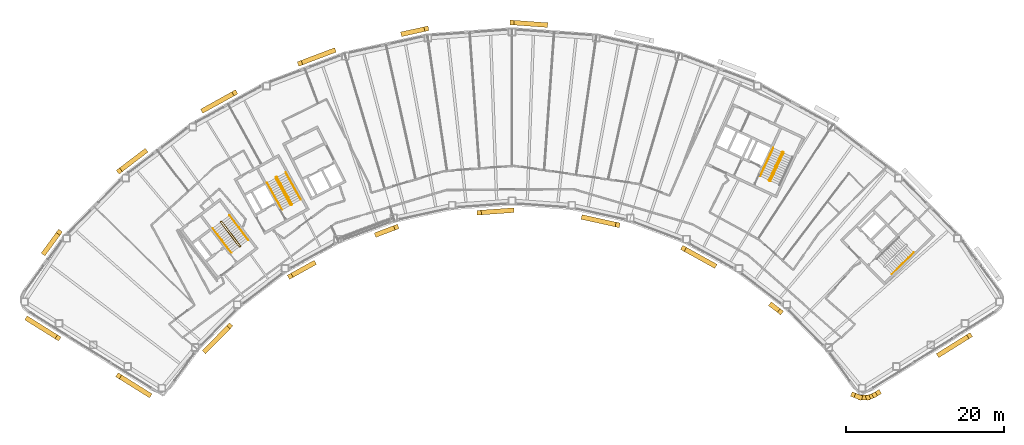
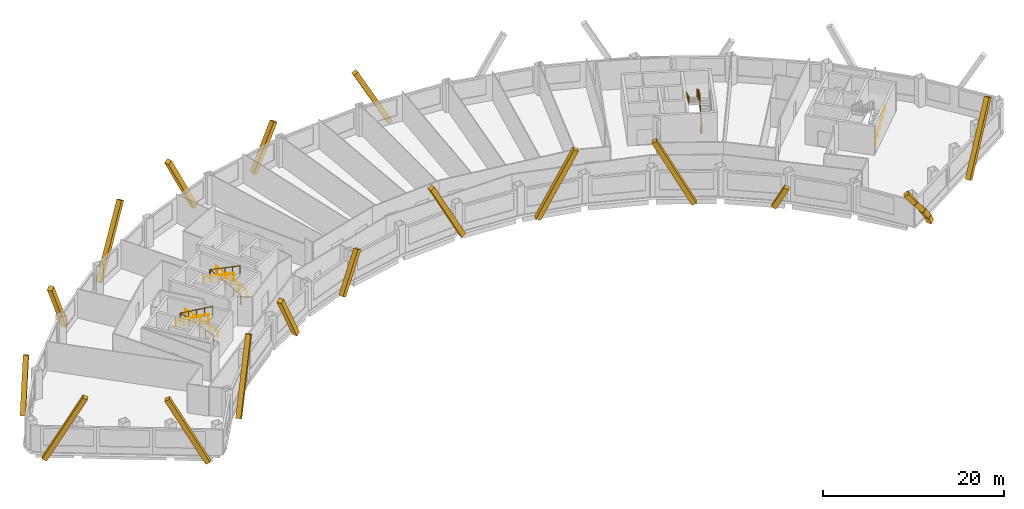
# One storey, part 12 of 13: 20 coverings, 9 railings.
"""IFC4 building model written with IfcOpenShell, lengths in metres."""

from ifc_helpers import new_model, si_unit, direction, frame, origin, origin_2d, place, context, subcontext, project, spatial, rectangle, circle, extrude, material, material_profile, profile_set, type_object, element, save


model = new_model("IFC4")

# Units and contexts
model_context = context("Model", 3, precision=1e-05, world=origin(), true_north=direction((0.0, 1.0)))
body_context = subcontext(model_context, "Body", "Model", "MODEL_VIEW")
ifc_project = project(units=[si_unit("LENGTHUNIT", "METRE"), si_unit("AREAUNIT", "SQUARE_METRE"), si_unit("VOLUMEUNIT", "CUBIC_METRE"), si_unit("PLANEANGLEUNIT", "RADIAN"), si_unit("MASSUNIT", "GRAM", prefix="KILO")], contexts=[model_context])

# Site, building, storey
site_placement = place(None, origin())
site = spatial("IfcSite", under=ifc_project, at=site_placement, CompositionType="ELEMENT")
building_placement = place(site_placement, origin())
building = spatial("IfcBuilding", under=site, at=building_placement, Name="Tuul Gate Civic Tower", CompositionType="ELEMENT")
storey_placement = place(building_placement, frame((0.0, 0.0, 188.89990234375)))
storey = spatial("IfcBuildingStorey", under=building, at=storey_placement, Name="Level 43", CompositionType="ELEMENT", Elevation=188.89990234375)

# Railings
ifc_material_1 = material(Name="Painted steel", Category="steel")
railing_type_1 = type_object("IfcRailingType", Name="Stair guard", PredefinedType="GUARDRAIL", material=ifc_material_1)
railing_1_placement = place(storey_placement, frame((-33.382080078125, -13.515380859375, 0.0)))
element("IfcRailing", 1, at=railing_1_placement, inside=storey, type_object=railing_type_1, Name="Level 43 ST-1 stair guard 1", PredefinedType="GUARDRAIL", context=body_context, shape_type="SweptSolid", body=[
    extrude(circle(Radius=0.02392578125, at=origin_2d()), frame((0.0, 0.0, 1.076171875), z_axis=(-0.795879841968, -0.605454603706, 0.0), x_axis=(0.605454603706, -0.795879841968, 0.0)), (0.0, 0.0, 1.0), 0.10009765625),
    extrude(circle(Radius=0.02392578125, at=origin_2d()), frame((-0.07958984375, -0.060546875, 1.076171875), z_axis=(0.408676696321, 0.599019267211, 0.688592241747), x_axis=(-0.826063974707, 0.563576356576, 0.0)), (0.0, 0.0, 1.0), 0.218017578125),
    extrude(circle(Radius=0.02392578125, at=origin_2d()), frame((0.009521484375, 0.070068359375, 1.22607421875), z_axis=(-0.541824460341, 0.711645023348, 0.447199748346), x_axis=(-0.795637165283, -0.60577347352, 0.0)), (0.0, 0.0, 1.0), 4.3603515625),
    extrude(circle(Radius=0.02392578125, at=origin_2d()), frame((-2.35302734375, 3.173095703125, 3.17626953125), z_axis=(-0.990893089246, 0.134650977284, 0.0), x_axis=(-0.134650977284, -0.990893089246, 0.0)), (0.0, 0.0, 1.0), 0.07080078125),
    extrude(circle(Radius=0.02392578125, at=origin_2d()), frame((-2.423095703125, 3.1826171875, 3.17626953125), z_axis=(-0.793802879778, -0.60817512943, 0.0), x_axis=(0.60817512943, -0.793802879778, 0.0)), (0.0, 0.0, 1.0), 0.099853515625),
    extrude(circle(Radius=0.02392578125, at=origin_2d()), frame((-2.50244140625, 3.121826171875, 3.17626953125), z_axis=(-0.057447065493, -0.422751481959, 0.904423031091), x_axis=(0.990893089246, -0.134650977284, 0.0)), (0.0, 0.0, 1.0), 0.165771484375),
    extrude(circle(Radius=0.02392578125, at=origin_2d()), frame((-2.511962890625, 3.0517578125, 3.326171875), z_axis=(0.541792925989, -0.711621155064, 0.447275929392), x_axis=(0.795644365679, 0.605764016233, 0.0)), (0.0, 0.0, 1.0), 4.360107421875),
    extrude(circle(Radius=0.02099609375, at=origin_2d()), origin(), (0.0, 0.0, 1.0), 1.052001953125),
    extrude(circle(Radius=0.02099609375, at=origin_2d()), frame((-0.07958984375, -0.060546875, 0.0)), (0.0, 0.0, 1.0), 1.052001953125),
    extrude(circle(Radius=0.02099609375, at=origin_2d()), frame((0.009521484375, 0.070068359375, 0.150146484375)), (0.0, 0.0, 1.0), 1.052001953125),
    extrude(circle(Radius=0.02099609375, at=origin_2d()), frame((-0.5810546875, 0.845703125, 0.6376953125)), (0.0, 0.0, 1.0), 1.052001953125),
    extrude(circle(Radius=0.02099609375, at=origin_2d()), frame((-1.171875, 1.62158203125, 1.125)), (0.0, 0.0, 1.0), 1.052001953125),
    extrude(circle(Radius=0.02099609375, at=origin_2d()), frame((-1.762451171875, 2.3974609375, 1.612548828125)), (0.0, 0.0, 1.0), 1.052001953125),
    extrude(circle(Radius=0.02099609375, at=origin_2d()), frame((-2.35302734375, 3.173095703125, 2.10009765625)), (0.0, 0.0, 1.0), 1.052001953125),
    extrude(circle(Radius=0.02099609375, at=origin_2d()), frame((-2.423095703125, 3.1826171875, 2.10009765625)), (0.0, 0.0, 1.0), 1.052001953125),
    extrude(circle(Radius=0.02099609375, at=origin_2d()), frame((-2.50244140625, 3.121826171875, 2.10009765625)), (0.0, 0.0, 1.0), 1.052001953125),
    extrude(circle(Radius=0.02099609375, at=origin_2d()), frame((-2.511962890625, 3.0517578125, 2.25)), (0.0, 0.0, 1.0), 1.052001953125),
    extrude(circle(Radius=0.02099609375, at=origin_2d()), frame((-1.92138671875, 2.276123046875, 2.737548828125)), (0.0, 0.0, 1.0), 1.052001953125),
    extrude(circle(Radius=0.02099609375, at=origin_2d()), frame((-1.330810546875, 1.50048828125, 3.22509765625)), (0.0, 0.0, 1.0), 1.052001953125),
    extrude(circle(Radius=0.02099609375, at=origin_2d()), frame((-0.740234375, 0.724609375, 3.712646484375)), (0.0, 0.0, 1.0), 1.052001953125),
    extrude(circle(Radius=0.02099609375, at=origin_2d()), frame((-0.149658203125, -0.051025390625, 4.2001953125)), (0.0, 0.0, 1.0), 1.052001953125),
])
railing_2_placement = place(storey_placement, frame((-26.857666015625, -8.247314453125, 0.0)))
element("IfcRailing", 2, at=railing_2_placement, inside=storey, type_object=railing_type_1, Name="Level 43 ST-2 stair guard 1", PredefinedType="GUARDRAIL", context=body_context, shape_type="SweptSolid", body=[
    extrude(circle(Radius=0.02392578125, at=origin_2d()), frame((0.0, 0.0, 1.076171875), z_axis=(-0.874616555828, -0.48481530532, 0.0), x_axis=(0.48481530532, -0.874616555828, 0.0)), (0.0, 0.0, 1.0), 0.10009765625),
    extrude(circle(Radius=0.02392578125, at=origin_2d()), frame((-0.087646484375, -0.048583984375, 1.076171875), z_axis=(0.490435707169, 0.534104639999, 0.688625479244), x_axis=(-0.736576986774, 0.676353711126, 0.0)), (0.0, 0.0, 1.0), 0.218017578125),
    extrude(circle(Radius=0.02392578125, at=origin_2d()), frame((0.019287109375, 0.06787109375, 1.22607421875), z_axis=(-0.43354991378, 0.782327185242, 0.447212083348), x_axis=(-0.874667644053, -0.484723129681, 0.0)), (0.0, 0.0, 1.0), 4.3603515625),
    extrude(circle(Radius=0.02392578125, at=origin_2d()), frame((-1.87109375, 3.47900390625, 3.17626953125), z_axis=(-0.961263487578, 0.275631107549, 0.0), x_axis=(-0.275631107549, -0.961263487578, 0.0)), (0.0, 0.0, 1.0), 0.07080078125),
    extrude(circle(Radius=0.02392578125, at=origin_2d()), frame((-1.939208984375, 3.49853515625, 3.17626953125), z_axis=(-0.874042088414, -0.485850211157, 0.0), x_axis=(0.485850211157, -0.874042088414, 0.0)), (0.0, 0.0, 1.0), 0.10009765625),
    extrude(circle(Radius=0.02392578125, at=origin_2d()), frame((-2.026611328125, 3.449951171875, 3.17626953125), z_axis=(-0.117866478395, -0.409586012422, 0.90462522168), x_axis=(0.961000426733, -0.276546885391, 0.0)), (0.0, 0.0, 1.0), 0.165771484375),
    extrude(circle(Radius=0.02392578125, at=origin_2d()), frame((-2.046142578125, 3.382080078125, 3.326171875), z_axis=(0.433584522764, -0.782288604346, 0.447246018574), x_axis=(0.874641102302, 0.484771020343, 0.0)), (0.0, 0.0, 1.0), 4.3603515625),
    extrude(circle(Radius=0.02099609375, at=origin_2d()), origin(), (0.0, 0.0, 1.0), 1.052001953125),
    extrude(circle(Radius=0.02099609375, at=origin_2d()), frame((-0.087646484375, -0.048583984375, 0.0)), (0.0, 0.0, 1.0), 1.052001953125),
    extrude(circle(Radius=0.02099609375, at=origin_2d()), frame((0.019287109375, 0.06787109375, 0.150146484375)), (0.0, 0.0, 1.0), 1.052001953125),
    extrude(circle(Radius=0.02099609375, at=origin_2d()), frame((-0.453369140625, 0.920654296875, 0.6376953125)), (0.0, 0.0, 1.0), 1.052001953125),
    extrude(circle(Radius=0.02099609375, at=origin_2d()), frame((-0.92578125, 1.7734375, 1.125)), (0.0, 0.0, 1.0), 1.052001953125),
    extrude(circle(Radius=0.02099609375, at=origin_2d()), frame((-1.3984375, 2.626220703125, 1.612548828125)), (0.0, 0.0, 1.0), 1.052001953125),
    extrude(circle(Radius=0.02099609375, at=origin_2d()), frame((-1.87109375, 3.47900390625, 2.10009765625)), (0.0, 0.0, 1.0), 1.052001953125),
    extrude(circle(Radius=0.02099609375, at=origin_2d()), frame((-1.939208984375, 3.49853515625, 2.10009765625)), (0.0, 0.0, 1.0), 1.052001953125),
    extrude(circle(Radius=0.02099609375, at=origin_2d()), frame((-2.026611328125, 3.449951171875, 2.10009765625)), (0.0, 0.0, 1.0), 1.052001953125),
    extrude(circle(Radius=0.02099609375, at=origin_2d()), frame((-2.046142578125, 3.382080078125, 2.25)), (0.0, 0.0, 1.0), 1.052001953125),
    extrude(circle(Radius=0.02099609375, at=origin_2d()), frame((-1.573486328125, 2.529296875, 2.737548828125)), (0.0, 0.0, 1.0), 1.052001953125),
    extrude(circle(Radius=0.02099609375, at=origin_2d()), frame((-1.100830078125, 1.676513671875, 3.22509765625)), (0.0, 0.0, 1.0), 1.052001953125),
    extrude(circle(Radius=0.02099609375, at=origin_2d()), frame((-0.628173828125, 0.82373046875, 3.712646484375)), (0.0, 0.0, 1.0), 1.052001953125),
    extrude(circle(Radius=0.02099609375, at=origin_2d()), frame((-0.155517578125, -0.029052734375, 4.2001953125)), (0.0, 0.0, 1.0), 1.052001953125),
])
railing_3_placement = place(storey_placement, frame((33.645751953125, -5.238525390625, 0.0)))
element("IfcRailing", 3, at=railing_3_placement, inside=storey, type_object=railing_type_1, Name="Level 43 ST-4 stair guard 1", PredefinedType="GUARDRAIL", context=body_context, shape_type="SweptSolid", body=[
    extrude(circle(Radius=0.02392578125, at=origin_2d()), frame((0.0, 0.0, 1.076171875), z_axis=(-0.906307919131, 0.422617978463, 0.0), x_axis=(-0.422617978463, -0.906307919131, 0.0)), (0.0, 0.0, 1.0), 0.099853515625),
    extrude(circle(Radius=0.02392578125, at=origin_2d()), frame((-0.090576171875, 0.042236328125, 1.076171875), z_axis=(0.720179819621, -0.082882280952, 0.688818956559), x_axis=(0.114330889033, 0.993442724979, 0.0)), (0.0, 0.0, 1.0), 0.218017578125),
    extrude(circle(Radius=0.02392578125, at=origin_2d()), frame((0.06640625, 0.024169921875, 1.22607421875), z_axis=(0.377946903738, 0.810654114417, 0.447209173356), x_axis=(-0.906336612539, 0.422556439746, 0.0)), (0.0, 0.0, 1.0), 4.3603515625),
    extrude(circle(Radius=0.02392578125, at=origin_2d()), frame((1.71435546875, 3.558837890625, 3.17626953125), z_axis=(-0.342020437038, 0.939692513883, 0.0), x_axis=(-0.939692513883, -0.342020437038, 0.0)), (0.0, 0.0, 1.0), 0.070556640625),
    extrude(circle(Radius=0.02392578125, at=origin_2d()), frame((1.690185546875, 3.625244140625, 3.17626953125), z_axis=(-0.906307919131, 0.422617978463, 0.0), x_axis=(-0.422617978463, -0.906307919131, 0.0)), (0.0, 0.0, 1.0), 0.099853515625),
    extrude(circle(Radius=0.02392578125, at=origin_2d()), frame((1.599609375, 3.66748046875, 3.17626953125), z_axis=(-0.40070210376, -0.145843780413, 0.904526072458), x_axis=(0.342020437038, -0.939692513883, 0.0)), (0.0, 0.0, 1.0), 0.165771484375),
    extrude(circle(Radius=0.02392578125, at=origin_2d()), frame((1.533203125, 3.643310546875, 3.326171875), z_axis=(-0.377937439636, -0.810633814971, 0.447253965602), x_axis=(0.906336612539, -0.422556439746, 0.0)), (0.0, 0.0, 1.0), 4.3603515625),
    extrude(circle(Radius=0.02099609375, at=origin_2d()), origin(), (0.0, 0.0, 1.0), 1.052001953125),
    extrude(circle(Radius=0.02099609375, at=origin_2d()), frame((-0.090576171875, 0.042236328125, 0.0)), (0.0, 0.0, 1.0), 1.052001953125),
    extrude(circle(Radius=0.02099609375, at=origin_2d()), frame((0.06640625, 0.024169921875, 0.150146484375)), (0.0, 0.0, 1.0), 1.052001953125),
    extrude(circle(Radius=0.02099609375, at=origin_2d()), frame((0.478515625, 0.90771484375, 0.6376953125)), (0.0, 0.0, 1.0), 1.052001953125),
    extrude(circle(Radius=0.02099609375, at=origin_2d()), frame((0.890380859375, 1.79150390625, 1.125)), (0.0, 0.0, 1.0), 1.052001953125),
    extrude(circle(Radius=0.02099609375, at=origin_2d()), frame((1.30224609375, 2.67529296875, 1.612548828125)), (0.0, 0.0, 1.0), 1.052001953125),
    extrude(circle(Radius=0.02099609375, at=origin_2d()), frame((1.71435546875, 3.558837890625, 2.10009765625)), (0.0, 0.0, 1.0), 1.052001953125),
    extrude(circle(Radius=0.02099609375, at=origin_2d()), frame((1.690185546875, 3.625244140625, 2.10009765625)), (0.0, 0.0, 1.0), 1.052001953125),
    extrude(circle(Radius=0.02099609375, at=origin_2d()), frame((1.599609375, 3.66748046875, 2.10009765625)), (0.0, 0.0, 1.0), 1.052001953125),
    extrude(circle(Radius=0.02099609375, at=origin_2d()), frame((1.533203125, 3.643310546875, 2.25)), (0.0, 0.0, 1.0), 1.052001953125),
    extrude(circle(Radius=0.02099609375, at=origin_2d()), frame((1.12109375, 2.759765625, 2.737548828125)), (0.0, 0.0, 1.0), 1.052001953125),
    extrude(circle(Radius=0.02099609375, at=origin_2d()), frame((0.709228515625, 1.8759765625, 3.22509765625)), (0.0, 0.0, 1.0), 1.052001953125),
    extrude(circle(Radius=0.02099609375, at=origin_2d()), frame((0.29736328125, 0.9921875, 3.712646484375)), (0.0, 0.0, 1.0), 1.052001953125),
    extrude(circle(Radius=0.02099609375, at=origin_2d()), frame((-0.11474609375, 0.108642578125, 4.2001953125)), (0.0, 0.0, 1.0), 1.052001953125),
])
ifc_material_2 = material(Name="Painted steel", Category="steel")
railing_type_2 = type_object("IfcRailingType", Name="Stair handrail", PredefinedType="HANDRAIL", material=ifc_material_2)
railing_4_placement = place(storey_placement, frame((-32.3779296875, -12.688232421875, 0.150146484375)))
element("IfcRailing", 4, at=railing_4_placement, inside=storey, type_object=railing_type_2, Name="Level 43 ST-1 stair handrail 1", PredefinedType="HANDRAIL", context=body_context, shape_type="SweptSolid", body=[
    extrude(circle(Radius=0.02392578125, at=origin_2d()), frame((0.0, 0.0, 0.8759765625), z_axis=(-0.541824460341, 0.711645023348, 0.447199748346), x_axis=(-0.795637165283, -0.60577347352, 0.0)), (0.0, 0.0, 1.0), 4.3603515625),
    extrude(circle(Radius=0.02099609375, at=origin_2d()), origin(), (0.0, 0.0, 1.0), 0.851806640625),
    extrude(circle(Radius=0.02099609375, at=origin_2d()), frame((-0.590576171875, 0.77587890625, 0.487548828125)), (0.0, 0.0, 1.0), 0.851806640625),
    extrude(circle(Radius=0.02099609375, at=origin_2d()), frame((-1.18115234375, 1.551513671875, 0.97509765625)), (0.0, 0.0, 1.0), 0.851806640625),
    extrude(circle(Radius=0.02099609375, at=origin_2d()), frame((-1.77197265625, 2.3271484375, 1.46240234375)), (0.0, 0.0, 1.0), 0.851806640625),
    extrude(circle(Radius=0.02099609375, at=origin_2d()), frame((-2.362548828125, 3.10302734375, 1.949951171875)), (0.0, 0.0, 1.0), 0.851806640625),
])
railing_5_placement = place(storey_placement, frame((-36.888671875, -11.220703125, 2.25)))
element("IfcRailing", 5, at=railing_5_placement, inside=storey, type_object=railing_type_2, Name="Level 43 ST-1 stair handrail 2", PredefinedType="HANDRAIL", context=body_context, shape_type="SweptSolid", body=[
    extrude(circle(Radius=0.02392578125, at=origin_2d()), frame((0.0, 0.0, 0.8759765625), z_axis=(0.541810893183, -0.711627203922, 0.44724454012), x_axis=(0.795637165283, 0.60577347352, 0.0)), (0.0, 0.0, 1.0), 4.3603515625),
    extrude(circle(Radius=0.02099609375, at=origin_2d()), origin(), (0.0, 0.0, 1.0), 0.851806640625),
    extrude(circle(Radius=0.02099609375, at=origin_2d()), frame((0.590576171875, -0.77587890625, 0.487548828125)), (0.0, 0.0, 1.0), 0.851806640625),
    extrude(circle(Radius=0.02099609375, at=origin_2d()), frame((1.18115234375, -1.551513671875, 0.97509765625)), (0.0, 0.0, 1.0), 0.851806640625),
    extrude(circle(Radius=0.02099609375, at=origin_2d()), frame((1.77197265625, -2.3271484375, 1.462646484375)), (0.0, 0.0, 1.0), 0.851806640625),
    extrude(circle(Radius=0.02099609375, at=origin_2d()), frame((2.362548828125, -3.10302734375, 1.9501953125)), (0.0, 0.0, 1.0), 0.851806640625),
])
railing_6_placement = place(storey_placement, frame((-25.744873046875, -7.573486328125, 0.150146484375)))
element("IfcRailing", 6, at=railing_6_placement, inside=storey, type_object=railing_type_2, Name="Level 43 ST-2 stair handrail 1", PredefinedType="HANDRAIL", context=body_context, shape_type="SweptSolid", body=[
    extrude(circle(Radius=0.02392578125, at=origin_2d()), frame((0.0, 0.0, 0.8759765625), z_axis=(-0.433595379963, 0.782308193291, 0.447201226726), x_axis=(-0.874641102302, -0.484771020343, 0.0)), (0.0, 0.0, 1.0), 4.3603515625),
    extrude(circle(Radius=0.02099609375, at=origin_2d()), origin(), (0.0, 0.0, 1.0), 0.851806640625),
    extrude(circle(Radius=0.02099609375, at=origin_2d()), frame((-0.47265625, 0.852783203125, 0.487548828125)), (0.0, 0.0, 1.0), 0.851806640625),
    extrude(circle(Radius=0.02099609375, at=origin_2d()), frame((-0.9453125, 1.70556640625, 0.97509765625)), (0.0, 0.0, 1.0), 0.851806640625),
    extrude(circle(Radius=0.02099609375, at=origin_2d()), frame((-1.41796875, 2.558349609375, 1.46240234375)), (0.0, 0.0, 1.0), 0.851806640625),
    extrude(circle(Radius=0.02099609375, at=origin_2d()), frame((-1.890625, 3.4111328125, 1.949951171875)), (0.0, 0.0, 1.0), 0.851806640625),
])
railing_7_placement = place(storey_placement, frame((-29.9970703125, -5.47119140625, 2.25)))
element("IfcRailing", 7, at=railing_7_placement, inside=storey, type_object=railing_type_2, Name="Level 43 ST-2 stair handrail 2", PredefinedType="HANDRAIL", context=body_context, shape_type="SweptSolid", body=[
    extrude(circle(Radius=0.02392578125, at=origin_2d()), frame((0.0, 0.0, 0.8759765625), z_axis=(0.433584522764, -0.782288604346, 0.447246018574), x_axis=(0.874641102302, 0.484771020343, 0.0)), (0.0, 0.0, 1.0), 4.3603515625),
    extrude(circle(Radius=0.02099609375, at=origin_2d()), origin(), (0.0, 0.0, 1.0), 0.851806640625),
    extrude(circle(Radius=0.02099609375, at=origin_2d()), frame((0.47265625, -0.852783203125, 0.487548828125)), (0.0, 0.0, 1.0), 0.851806640625),
    extrude(circle(Radius=0.02099609375, at=origin_2d()), frame((0.9453125, -1.70556640625, 0.97509765625)), (0.0, 0.0, 1.0), 0.851806640625),
    extrude(circle(Radius=0.02099609375, at=origin_2d()), frame((1.41796875, -2.558349609375, 1.462646484375)), (0.0, 0.0, 1.0), 0.851806640625),
    extrude(circle(Radius=0.02099609375, at=origin_2d()), frame((1.890625, -3.4111328125, 1.9501953125)), (0.0, 0.0, 1.0), 0.851806640625),
])
railing_8_placement = place(storey_placement, frame((49.05126953125, -17.028076171875, 0.150146484375)))
element("IfcRailing", 8, at=railing_8_placement, inside=storey, type_object=railing_type_2, Name="Level 43 ST-3 stair handrail 1", PredefinedType="HANDRAIL", context=body_context, shape_type="SweptSolid", body=[
    extrude(circle(Radius=0.02392578125, at=origin_2d()), frame((0.0, 0.0, 0.8759765625), z_axis=(0.638753653487, 0.626099522554, 0.447205945863), x_axis=(-0.699997553204, 0.714145241186, 0.0)), (0.0, 0.0, 1.0), 4.3603515625),
    extrude(circle(Radius=0.02099609375, at=origin_2d()), origin(), (0.0, 0.0, 1.0), 0.851806640625),
    extrude(circle(Radius=0.02099609375, at=origin_2d()), frame((0.6962890625, 0.6826171875, 0.487548828125)), (0.0, 0.0, 1.0), 0.851806640625),
    extrude(circle(Radius=0.02099609375, at=origin_2d()), frame((1.392578125, 1.364990234375, 0.97509765625)), (0.0, 0.0, 1.0), 0.851806640625),
    extrude(circle(Radius=0.02099609375, at=origin_2d()), frame((2.0888671875, 2.04736328125, 1.46240234375)), (0.0, 0.0, 1.0), 0.851806640625),
    extrude(circle(Radius=0.02099609375, at=origin_2d()), frame((2.78515625, 2.72998046875, 1.949951171875)), (0.0, 0.0, 1.0), 0.851806640625),
])
railing_9_placement = place(storey_placement, frame((34.046142578125, -1.06689453125, 2.25)))
element("IfcRailing", 9, at=railing_9_placement, inside=storey, type_object=railing_type_2, Name="Level 43 ST-4 stair handrail 2", PredefinedType="HANDRAIL", context=body_context, shape_type="SweptSolid", body=[
    extrude(circle(Radius=0.02392578125, at=origin_2d()), frame((0.0, 0.0, 0.8759765625), z_axis=(-0.377985431313, -0.810616660428, 0.447244500863), x_axis=(0.906312636903, -0.422607861012, 0.0)), (0.0, 0.0, 1.0), 4.3603515625),
    extrude(circle(Radius=0.02099609375, at=origin_2d()), origin(), (0.0, 0.0, 1.0), 0.851806640625),
    extrude(circle(Radius=0.02099609375, at=origin_2d()), frame((-0.412109375, -0.8837890625, 0.487548828125)), (0.0, 0.0, 1.0), 0.851806640625),
    extrude(circle(Radius=0.02099609375, at=origin_2d()), frame((-0.82421875, -1.767333984375, 0.97509765625)), (0.0, 0.0, 1.0), 0.851806640625),
    extrude(circle(Radius=0.02099609375, at=origin_2d()), frame((-1.236083984375, -2.65087890625, 1.462646484375)), (0.0, 0.0, 1.0), 0.851806640625),
    extrude(circle(Radius=0.02099609375, at=origin_2d()), frame((-1.648193359375, -3.53466796875, 1.9501953125)), (0.0, 0.0, 1.0), 0.851806640625),
])

# Coverings
ifc_material_3 = material(Name="Terracotta baguette", Category="masonry")
ifc_material_profile = material_profile(ifc_material_3, rectangle(XDim=0.60009765625, YDim=0.60009765625, at=origin_2d()), Name="Terracotta baguette screen frame")
ifc_profile_set = profile_set([ifc_material_profile], Name="Terracotta baguette")
covering_type = type_object("IfcCoveringType", Name="Terracotta baguette screen frame", PredefinedType="CLADDING", material=ifc_profile_set)
covering_1_placement = place(storey_placement, frame((55.052490234375, -27.20849609375, -0.349853515625), z_axis=(0.402293025591, 0.251385166726, 0.880321429656), x_axis=(-0.529926214669, 0.848043753002, 0.0)))
element("IfcCovering", 10, at=covering_1_placement, inside=storey, type_object=covering_type, Name="Baguette 2", PredefinedType="CLADDING", context=body_context, shape_type="SweptSolid", body=[
    extrude(rectangle(XDim=0.60009765625, YDim=0.60009765625, at=origin_2d()), origin(), (0.0, 0.0, 1.0), 9.541748046875),
])
covering_2_placement = place(storey_placement, frame((0.989990234375, 14.819091796875, 7.5517578125), z_axis=(0.473919146145, -0.034336844974, -0.87989864416), x_axis=(0.072263537098, 0.997385572989, 0.0)))
element("IfcCovering", 11, at=covering_2_placement, inside=storey, type_object=covering_type, Name="Baguette 77", PredefinedType="CLADDING", context=body_context, shape_type="SweptSolid", body=[
    extrude(rectangle(XDim=0.60009765625, YDim=0.60009765625, at=origin_2d()), origin(), (0.0, 0.0, 1.0), 8.980224609375),
])
covering_3_placement = place(storey_placement, frame((-9.83349609375, 14.03515625, 5.25390625), z_axis=(-0.464008503472, -0.102278146667, -0.879906409467), x_axis=(0.215255779453, -0.976557704087, 0.0)))
element("IfcCovering", 12, at=covering_3_placement, inside=storey, type_object=covering_type, Name="Baguette 84", PredefinedType="CLADDING", context=body_context, shape_type="SweptSolid", body=[
    extrude(rectangle(XDim=0.60009765625, YDim=0.60009765625, at=origin_2d()), origin(), (0.0, 0.0, 1.0), 6.36865234375),
])
for number, where, z_axis, x_axis, name in (
    (13, (-25.83984375, 9.653564453125, 8.050048828125), (0.444447097075, 0.168096597565, -0.879892216006), (-0.353758489664, 0.935336800832, 0.0), "Baguette 98"),
    (14, (-34.08251953125, 5.91943359375, 8.050048828125), (-0.415599156496, -0.23036842051, -0.879890750009), (0.484806475071, -0.874621450531, 0.0), "Baguette 103"),
):
    element("IfcCovering", number, at=place(storey_placement, frame(where, z_axis=z_axis, x_axis=x_axis)), inside=storey, type_object=covering_type, Name=name, PredefinedType="CLADDING", context=body_context, shape_type="SweptSolid", body=[
        extrude(rectangle(XDim=0.60009765625, YDim=0.60009765625, at=origin_2d()), origin(), (0.0, 0.0, 1.0), 9.546630859375),
    ])
covering_4_placement = place(storey_placement, frame((-48.70361328125, -3.97314453125, 7.220947265625), z_axis=(0.378060731421, 0.287858459942, -0.879890669571), x_axis=(-0.605793108402, 0.79562221551, 0.0)))
element("IfcCovering", 15, at=covering_4_placement, inside=storey, type_object=covering_type, Name="Baguette 119", PredefinedType="CLADDING", context=body_context, shape_type="SweptSolid", body=[
    extrude(rectangle(XDim=0.60009765625, YDim=0.60009765625, at=origin_2d()), origin(), (0.0, 0.0, 1.0), 8.604248046875),
])
covering_5_placement = place(storey_placement, frame((-56.299560546875, -11.7216796875, 5.5859375), z_axis=(-0.281341633683, -0.385267780007, -0.878871789765), x_axis=(0.807590994458, -0.589742982723, 0.0)))
element("IfcCovering", 16, at=covering_5_placement, inside=storey, type_object=covering_type, Name="Baguette 126", PredefinedType="CLADDING", context=body_context, shape_type="SweptSolid", body=[
    extrude(rectangle(XDim=0.60009765625, YDim=0.60009765625, at=origin_2d()), origin(), (0.0, 0.0, 1.0), 6.75390625),
])
for number, where, z_axis, x_axis, name in (
    (17, (-56.455810546875, -25.094482421875, 8.050048828125), (-0.402293025591, 0.251385166726, -0.880321429656), (-0.529926214669, -0.848043753002, 0.0), "Baguette 151"),
    (18, (-48.778076171875, -29.891845703125, 8.050048828125), (0.402295613037, -0.25136119713, -0.880327091659), (0.529887423043, 0.848067991909, 0.0), "Baguette 155"),
):
    element("IfcCovering", number, at=place(storey_placement, frame(where, z_axis=z_axis, x_axis=x_axis)), inside=storey, type_object=covering_type, Name=name, PredefinedType="CLADDING", context=body_context, shape_type="SweptSolid", body=[
        extrude(rectangle(XDim=0.60009765625, YDim=0.60009765625, at=origin_2d()), origin(), (0.0, 0.0, 1.0), 9.541748046875),
    ])
covering_6_placement = place(storey_placement, frame((-34.7177734375, -23.561767578125, 8.050048828125), z_axis=(-0.326356322385, -0.332861849455, -0.884700254333), x_axis=(0.714050130155, -0.700094573344, 0.0)))
element("IfcCovering", 19, at=covering_6_placement, inside=storey, type_object=covering_type, Name="Baguette 183", PredefinedType="CLADDING", context=body_context, shape_type="SweptSolid", body=[
    extrude(rectangle(XDim=0.60009765625, YDim=0.60009765625, at=origin_2d()), origin(), (0.0, 0.0, 1.0), 9.49462890625),
])
covering_7_placement = place(storey_placement, frame((-27.078857421875, -17.295654296875, 6.06201171875), z_axis=(0.407705257724, 0.226001369418, -0.88470322925), x_axis=(-0.484820540629, 0.874613653783, 0.0)))
element("IfcCovering", 20, at=covering_7_placement, inside=storey, type_object=covering_type, Name="Baguette 191", PredefinedType="CLADDING", context=body_context, shape_type="SweptSolid", body=[
    extrude(rectangle(XDim=0.60009765625, YDim=0.60009765625, at=origin_2d()), origin(), (0.0, 0.0, 1.0), 7.24755859375),
])
covering_8_placement = place(storey_placement, frame((-13.652587890625, -11.07568359375, 4.594970703125), z_axis=(-0.436017658414, -0.164893474305, -0.884702630087), x_axis=(0.353730371417, -0.935347435094, 0.0)))
element("IfcCovering", 21, at=covering_8_placement, inside=storey, type_object=covering_type, Name="Baguette 209", PredefinedType="CLADDING", context=body_context, shape_type="SweptSolid", body=[
    extrude(rectangle(XDim=0.60009765625, YDim=0.60009765625, at=origin_2d()), origin(), (0.0, 0.0, 1.0), 5.58935546875),
])
covering_9_placement = place(storey_placement, frame((-3.16259765625, -9.243896484375, 8.050048828125), z_axis=(0.464942517396, 0.033676828822, -0.884700133784), x_axis=(-0.072242980808, 0.99738706214, 0.0)))
element("IfcCovering", 22, at=covering_9_placement, inside=storey, type_object=covering_type, Name="Baguette 216", PredefinedType="CLADDING", context=body_context, shape_type="SweptSolid", body=[
    extrude(rectangle(XDim=0.60009765625, YDim=0.60009765625, at=origin_2d()), origin(), (0.0, 0.0, 1.0), 8.931396484375),
])
for number, where, z_axis, x_axis, name in (
    (23, (14.36767578125, -10.796875, 8.050048828125), (-0.455233015253, 0.100334343963, -0.884701034952), (-0.215236378617, -0.976561980276, 0.0), "Baguette 232"),
    (24, (22.6923828125, -13.7666015625, 8.050048828125), (0.407714066256, -0.225996400626, -0.884700439178), (0.484804374507, 0.87462261488, 0.0), "Baguette 238"),
):
    element("IfcCovering", number, at=place(storey_placement, frame(where, z_axis=z_axis, x_axis=x_axis)), inside=storey, type_object=covering_type, Name=name, PredefinedType="CLADDING", context=body_context, shape_type="SweptSolid", body=[
        extrude(rectangle(XDim=0.60009765625, YDim=0.60009765625, at=origin_2d()), origin(), (0.0, 0.0, 1.0), 9.49462890625),
    ])
covering_10_placement = place(storey_placement, frame((34.96044921875, -21.789794921875, 2.343505859375), z_axis=(-0.370891051029, 0.2824385474, -0.88468542161), x_axis=(-0.60584625249, -0.795581748372, 0.0)))
element("IfcCovering", 25, at=covering_10_placement, inside=storey, type_object=covering_type, Name="Baguette 255", PredefinedType="CLADDING", context=body_context, shape_type="SweptSolid", body=[
    extrude(rectangle(XDim=0.60009765625, YDim=0.60009765625, at=origin_2d()), origin(), (0.0, 0.0, 1.0), 3.04443359375),
])
covering_11_placement = place(storey_placement, frame((44.156005859375, -32.282470703125, 4.612548828125), z_axis=(0.559850818446, -0.222702253832, -0.798104483901), x_axis=(0.369618596292, 0.929183562745, 0.0)))
element("IfcCovering", 26, at=covering_11_placement, inside=storey, type_object=covering_type, Name="Baguette 272", PredefinedType="CLADDING", context=body_context, shape_type="SweptSolid", body=[
    extrude(rectangle(XDim=0.60009765625, YDim=0.60009765625, at=origin_2d()), origin(), (0.0, 0.0, 1.0), 1.616943359375),
])
covering_12_placement = place(storey_placement, frame((45.061279296875, -32.642578125, 3.322021484375), z_axis=(0.602776502716, -0.001813770821, -0.797908013501), x_axis=(0.003009013459, 0.999995472909, 0.0)))
element("IfcCovering", 27, at=covering_12_placement, inside=storey, type_object=covering_type, Name="Baguette 273", PredefinedType="CLADDING", context=body_context, shape_type="SweptSolid", body=[
    extrude(rectangle(XDim=0.60009765625, YDim=0.60009765625, at=origin_2d()), origin(), (0.0, 0.0, 1.0), 1.615234375),
])
covering_13_placement = place(storey_placement, frame((46.034912109375, -32.6455078125, 2.033203125), z_axis=(0.53407853992, 0.208042221945, -0.819437945842), x_axis=(-0.362969067807, 0.931801188997, 0.0)))
element("IfcCovering", 28, at=covering_13_placement, inside=storey, type_object=covering_type, Name="Baguette 274", PredefinedType="CLADDING", context=body_context, shape_type="SweptSolid", body=[
    extrude(rectangle(XDim=0.60009765625, YDim=0.60009765625, at=origin_2d()), origin(), (0.0, 0.0, 1.0), 1.572509765625),
])
covering_14_placement = place(storey_placement, frame((46.874755859375, -32.318359375, 0.74462890625), z_axis=(0.402352266006, 0.251347438013, -0.880305128603), x_axis=(-0.52981289744, 0.848114552231, 0.0)))
element("IfcCovering", 29, at=covering_14_placement, inside=storey, type_object=covering_type, Name="Baguette 275", PredefinedType="CLADDING", context=body_context, shape_type="SweptSolid", body=[
    extrude(rectangle(XDim=0.60009765625, YDim=0.60009765625, at=origin_2d()), origin(), (0.0, 0.0, 1.0), 1.243408203125),
])

save(model, "model.ifc")
